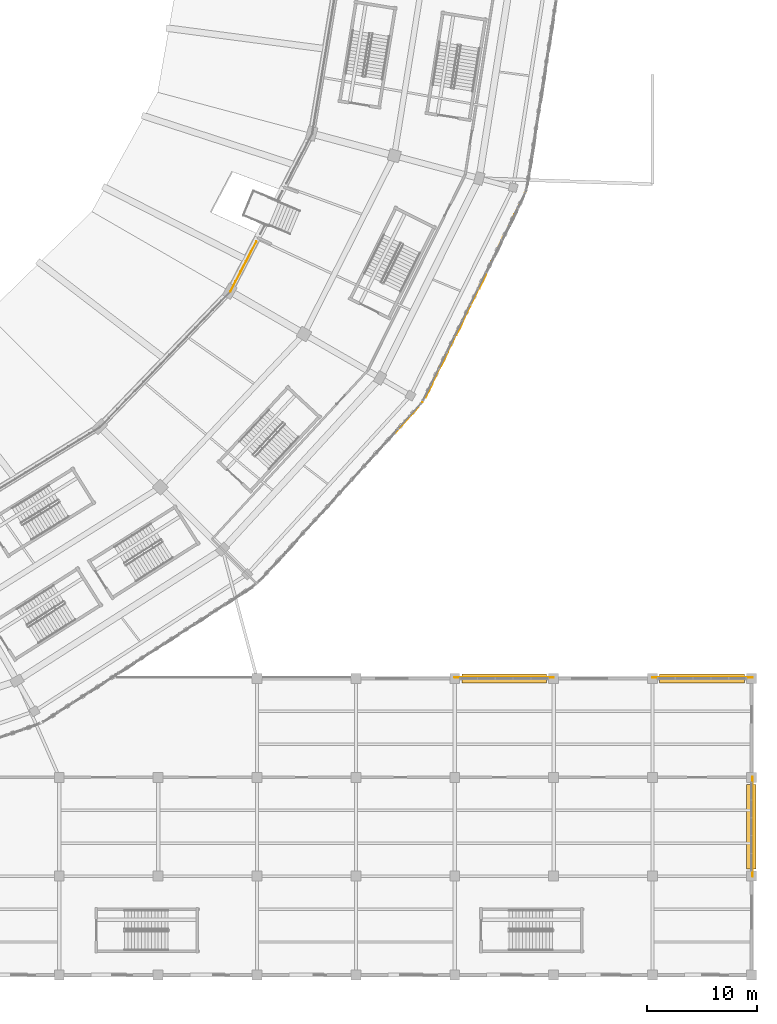
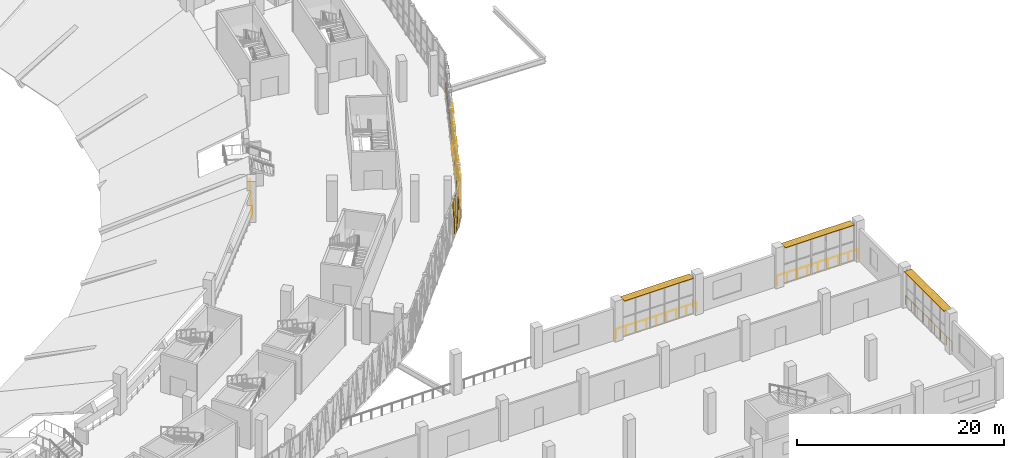
# One storey, part 151 of 183: 10 coverings, 5 railings, 3 shading devices.
"""IFC4 building model written with IfcOpenShell, lengths in metres."""

from ifc_helpers import new_model, si_unit, direction, frame, origin, origin_2d, place, context, subcontext, project, spatial, polyline, rectangle, circle, outline, extrude, material, layer, layer_set, type_object, element, save


model = new_model("IFC4")

# Units and contexts
model_context = context("Model", 3, precision=1e-05, world=origin(), true_north=direction((0.0, 1.0)))
body_context = subcontext(model_context, "Body", "Model", "MODEL_VIEW")
ifc_project = project(units=[si_unit("LENGTHUNIT", "METRE"), si_unit("AREAUNIT", "SQUARE_METRE"), si_unit("VOLUMEUNIT", "CUBIC_METRE"), si_unit("PLANEANGLEUNIT", "RADIAN"), si_unit("MASSUNIT", "GRAM", prefix="KILO")], contexts=[model_context])

# Site, building, storey
site_placement = place(None, origin())
site = spatial("IfcSite", under=ifc_project, at=site_placement, CompositionType="ELEMENT")
building_placement = place(site_placement, origin())
building = spatial("IfcBuilding", under=site, at=building_placement, Name="Zevraka Park Crest Stadium", CompositionType="ELEMENT")
storey_placement = place(building_placement, frame((0.0, 0.0, 5.39990234375)))
storey = spatial("IfcBuildingStorey", under=building, at=storey_placement, Name="L01", CompositionType="ELEMENT", Elevation=5.39990234375)

# Coverings
ifc_material_1 = material(Name="Architectural golden-bronze perforated aluminium", Category="aluminium")
ifc_layer_1 = layer(ifc_material_1, 0.034912109375)
ifc_layer_set_1 = layer_set([ifc_layer_1], Name="Architectural golden-bronze perforated aluminium")
covering_type = type_object("IfcCoveringType", Name="CLD01", PredefinedType="CLADDING", material=ifc_layer_set_1)
covering_1_placement = place(storey_placement, frame((192.6298828125, 50.488037109375, 4.5), z_axis=(0.738931869956, -0.673780145489, 8.4304834e-05), x_axis=(-0.673780147884, -0.738931872582, 0.0)))
element("IfcCovering", 1, at=covering_1_placement, inside=storey, type_object=covering_type, Name="Triangular Golden-Bronze Perforated Cladding L01-21-12", PredefinedType="CLADDING", context=body_context, shape_type="SweptSolid", body=[
    extrude(outline(polyline([(0.0, 0.0), (1.4914105374817646, 0.0), (0.7453762745280483, 4.27978517145887), (0.0, 0.0)])), origin(), (0.0, 0.0, -1.0), 0.034912109375),
])
covering_2_placement = place(storey_placement, frame((192.738037109375, 50.60595703125, -0.260009765625), z_axis=(0.739257935755, -0.673422381884, 0.0), x_axis=(0.673422381884, 0.739257935755, 0.0)))
element("IfcCovering", 2, at=covering_2_placement, inside=storey, type_object=covering_type, Name="Triangular Golden-Bronze Perforated Cladding L01-21-13", PredefinedType="CLADDING", context=body_context, shape_type="SweptSolid", body=[
    extrude(outline(polyline([(0.0, 0.0), (1.4907527237079923, 0.0), (0.7453763618539961, 4.60009765625), (0.0, 0.0)])), origin(), (0.0, 0.0, -1.0), 0.034912109375),
])
covering_3_placement = place(storey_placement, frame((194.3330078125, 52.575927734375, -0.260009765625), z_axis=(-0.897262884804, 0.441496663763, 0.000106956486), x_axis=(0.441496666288, 0.897262889936, 0.0)))
element("IfcCovering", 3, at=covering_3_placement, inside=storey, type_object=covering_type, Name="Triangular Golden-Bronze Perforated Cladding L01-22-1", PredefinedType="CLADDING", context=body_context, shape_type="SweptSolid", body=[
    extrude(outline(polyline([(0.0, 0.0), (1.4200631009776323, -6.776263578034403e-21), (0.7101375958715329, -4.600097682561845), (0.0, 0.0)])), origin(), (0.0, 0.0, -1.0), 0.034912109375),
])
covering_4_placement = place(storey_placement, frame((195.657958984375, 55.26904296875, 4.5), z_axis=(0.897396801117, -0.441224389291, 0.00014013863), x_axis=(-0.441224393624, -0.897396809929, 0.0)))
element("IfcCovering", 4, at=covering_4_placement, inside=storey, type_object=covering_type, Name="Triangular Golden-Bronze Perforated Cladding L01-22-2", PredefinedType="CLADDING", context=body_context, shape_type="SweptSolid", body=[
    extrude(outline(polyline([(0.0, 0.0), (1.4209393996793769, -1.3552527156068805e-20), (0.7105828947683128, 4.2797851982749995), (0.0, 0.0)])), origin(), (0.0, 0.0, -1.0), 0.034912109375),
])
covering_5_placement = place(storey_placement, frame((195.72900390625, 55.412109375, -0.260009765625), z_axis=(-0.89736335211, 0.441292433592, 4.8410033e-05), x_axis=(0.441292434109, 0.897363353162, 0.0)))
element("IfcCovering", 5, at=covering_5_placement, inside=storey, type_object=covering_type, Name="Triangular Golden-Bronze Perforated Cladding L01-22-3", PredefinedType="CLADDING", context=body_context, shape_type="SweptSolid", body=[
    extrude(outline(polyline([(0.0, 0.0), (1.420720312745091, 0.0), (0.7110137968936739, -4.600097661640237), (0.0, 0.0)])), origin(), (0.0, 0.0, -1.0), 0.034912109375),
])
covering_6_placement = place(storey_placement, frame((197.053955078125, 58.10498046875, 4.5), z_axis=(0.897229366489, -0.441564778295, 0.000102365016), x_axis=(-0.441564780609, -0.89722937119, 0.0)))
element("IfcCovering", 6, at=covering_6_placement, inside=storey, type_object=covering_type, Name="Triangular Golden-Bronze Perforated Cladding L01-22-4", PredefinedType="CLADDING", context=body_context, shape_type="SweptSolid", body=[
    extrude(outline(polyline([(0.0, 0.0), (1.4198440467462223, 6.776263578034403e-21), (0.7097064155700795, 4.2797851786730705), (0.0, 0.0)])), origin(), (0.0, 0.0, -1.0), 0.034912109375),
])
covering_7_placement = place(storey_placement, frame((197.125, 58.2490234375, -0.260009765625), z_axis=(-0.897363344103, 0.441292429655, 0.000142092747), x_axis=(0.441292434109, 0.897363353162, 0.0)))
element("IfcCovering", 7, at=covering_7_placement, inside=storey, type_object=covering_type, Name="Triangular Golden-Bronze Perforated Cladding L01-22-5", PredefinedType="CLADDING", context=body_context, shape_type="SweptSolid", body=[
    extrude(outline(polyline([(0.0, 0.0), (1.420720312745091, -1.3552527156068805e-20), (0.7101374654941018, -4.600097702688788), (0.0, 0.0)])), origin(), (0.0, 0.0, -1.0), 0.034912109375),
])
covering_8_placement = place(storey_placement, frame((198.449951171875, 60.94189453125, 4.5), z_axis=(0.897363351947, -0.441292433512, 5.2033191e-05), x_axis=(-0.441292434109, -0.897363353162, 0.0)))
element("IfcCovering", 8, at=covering_8_placement, inside=storey, type_object=covering_type, Name="Triangular Golden-Bronze Perforated Cladding L01-22-6", PredefinedType="CLADDING", context=body_context, shape_type="SweptSolid", body=[
    extrude(outline(polyline([(0.0, 0.0), (1.420720312745091, 3.3881317890172014e-21), (0.709706515851417, 4.279785162043659), (0.0, 0.0)])), origin(), (0.0, 0.0, -1.0), 0.034912109375),
])
covering_9_placement = place(storey_placement, frame((198.52099609375, 61.0859375, -0.260009765625), z_axis=(0.897262886806, -0.441496664748, 8.3524968e-05), x_axis=(0.441496666288, 0.897262889936, 0.0)))
element("IfcCovering", 9, at=covering_9_placement, inside=storey, type_object=covering_type, Name="Triangular Golden-Bronze Perforated Cladding L01-22-7", PredefinedType="CLADDING", context=body_context, shape_type="SweptSolid", body=[
    extrude(outline(polyline([(0.0, 0.0), (1.4200631009776323, 0.0), (0.7097064467833611, 4.600097672296107), (0.0, 0.0)])), origin(), (0.0, 0.0, -1.0), 0.034912109375),
])
covering_10_placement = place(storey_placement, frame((199.845947265625, 63.779052734375, 4.5), z_axis=(-0.897396808055, 0.441224392703, 6.4629608e-05), x_axis=(-0.441224393624, -0.897396809929, 0.0)))
element("IfcCovering", 10, at=covering_10_placement, inside=storey, type_object=covering_type, Name="Triangular Golden-Bronze Perforated Cladding L01-22-8", PredefinedType="CLADDING", context=body_context, shape_type="SweptSolid", body=[
    extrude(outline(polyline([(0.0, 0.0), (1.4209393996793769, 0.0), (0.7110137779652114, -4.279785165188302), (0.0, 0.0)])), origin(), (0.0, 0.0, -1.0), 0.034912109375),
])

# Railings
ifc_material_2 = material(Name="Galvanised and bronze-finished steel balustrade", Category="steel")
railing_type = type_object("IfcRailingType", Name="GR01", PredefinedType="GUARDRAIL", material=ifc_material_2)
railing_1_placement = place(storey_placement, frame((203.501953125, 71.366943359375, 0.0)))
element("IfcRailing", 11, at=railing_1_placement, inside=storey, type_object=railing_type, Name="Deck Edge Protection Guardrail GR01 L01-23", PredefinedType="GUARDRAIL", context=body_context, shape_type="SweptSolid", body=[
    extrude(circle(Radius=0.02392578125, at=origin_2d()), frame((0.0, 0.0, 1.076171875), z_axis=(-0.441507942404, -0.897257341455, 0.0), x_axis=(0.897257341455, -0.441507942404, 0.0)), (0.0, 0.0, 1.0), 21.4287109375),
    extrude(circle(Radius=0.02099609375, at=origin_2d()), origin(), (0.0, 0.0, 1.0), 1.052001953125),
    extrude(circle(Radius=0.02099609375, at=origin_2d()), frame((-0.525634765625, -1.068115234375, 0.0)), (0.0, 0.0, 1.0), 1.052001953125),
    extrude(circle(Radius=0.02099609375, at=origin_2d()), frame((-1.05126953125, -2.13623046875, 0.0)), (0.0, 0.0, 1.0), 1.052001953125),
    extrude(circle(Radius=0.02099609375, at=origin_2d()), frame((-1.576904296875, -3.20458984375, 0.0)), (0.0, 0.0, 1.0), 1.052001953125),
    extrude(circle(Radius=0.02099609375, at=origin_2d()), frame((-2.1025390625, -4.272705078125, 0.0)), (0.0, 0.0, 1.0), 1.052001953125),
    extrude(circle(Radius=0.02099609375, at=origin_2d()), frame((-2.6279296875, -5.3408203125, 0.0)), (0.0, 0.0, 1.0), 1.052001953125),
    extrude(circle(Radius=0.02099609375, at=origin_2d()), frame((-3.153564453125, -6.408935546875, 0.0)), (0.0, 0.0, 1.0), 1.052001953125),
    extrude(circle(Radius=0.02099609375, at=origin_2d()), frame((-3.67919921875, -7.477294921875, 0.0)), (0.0, 0.0, 1.0), 1.052001953125),
    extrude(circle(Radius=0.02099609375, at=origin_2d()), frame((-4.204833984375, -8.54541015625, 0.0)), (0.0, 0.0, 1.0), 1.052001953125),
    extrude(circle(Radius=0.02099609375, at=origin_2d()), frame((-4.73046875, -9.613525390625, 0.0)), (0.0, 0.0, 1.0), 1.052001953125),
    extrude(circle(Radius=0.02099609375, at=origin_2d()), frame((-5.256103515625, -10.681640625, 0.0)), (0.0, 0.0, 1.0), 1.052001953125),
    extrude(circle(Radius=0.02099609375, at=origin_2d()), frame((-5.78173828125, -11.749755859375, 0.0)), (0.0, 0.0, 1.0), 1.052001953125),
    extrude(circle(Radius=0.02099609375, at=origin_2d()), frame((-6.307373046875, -12.818115234375, 0.0)), (0.0, 0.0, 1.0), 1.052001953125),
    extrude(circle(Radius=0.02099609375, at=origin_2d()), frame((-6.8330078125, -13.88623046875, 0.0)), (0.0, 0.0, 1.0), 1.052001953125),
    extrude(circle(Radius=0.02099609375, at=origin_2d()), frame((-7.3583984375, -14.954345703125, 0.0)), (0.0, 0.0, 1.0), 1.052001953125),
    extrude(circle(Radius=0.02099609375, at=origin_2d()), frame((-7.884033203125, -16.0224609375, 0.0)), (0.0, 0.0, 1.0), 1.052001953125),
    extrude(circle(Radius=0.02099609375, at=origin_2d()), frame((-8.40966796875, -17.0908203125, 0.0)), (0.0, 0.0, 1.0), 1.052001953125),
    extrude(circle(Radius=0.02099609375, at=origin_2d()), frame((-8.935302734375, -18.158935546875, 0.0)), (0.0, 0.0, 1.0), 1.052001953125),
    extrude(circle(Radius=0.02099609375, at=origin_2d()), frame((-9.4609375, -19.22705078125, 0.0)), (0.0, 0.0, 1.0), 1.052001953125),
])
railing_2_placement = place(storey_placement, frame((196.990966796875, 27.10498046875, 0.0)))
element("IfcRailing", 12, at=railing_2_placement, inside=storey, type_object=railing_type, Name="Deck Edge Protection Guardrail GR01 L01-27", PredefinedType="GUARDRAIL", context=body_context, shape_type="SweptSolid", body=[
    extrude(circle(Radius=0.02392578125, at=origin_2d()), frame((0.0, 0.0, 1.076171875), z_axis=(1.0, 0.0, 0.0), x_axis=(0.0, 1.0, 0.0)), (0.0, 0.0, 1.0), 9.01806640625),
    extrude(circle(Radius=0.02099609375, at=origin_2d()), origin(), (0.0, 0.0, 1.0), 1.052001953125),
    extrude(circle(Radius=0.02099609375, at=origin_2d()), frame((1.127197265625, 0.0, 0.0)), (0.0, 0.0, 1.0), 1.052001953125),
    extrude(circle(Radius=0.02099609375, at=origin_2d()), frame((2.25439453125, 0.0, 0.0)), (0.0, 0.0, 1.0), 1.052001953125),
    extrude(circle(Radius=0.02099609375, at=origin_2d()), frame((3.3818359375, 0.0, 0.0)), (0.0, 0.0, 1.0), 1.052001953125),
    extrude(circle(Radius=0.02099609375, at=origin_2d()), frame((4.509033203125, 0.0, 0.0)), (0.0, 0.0, 1.0), 1.052001953125),
    extrude(circle(Radius=0.02099609375, at=origin_2d()), frame((5.63623046875, 0.0, 0.0)), (0.0, 0.0, 1.0), 1.052001953125),
    extrude(circle(Radius=0.02099609375, at=origin_2d()), frame((6.763671875, 0.0, 0.0)), (0.0, 0.0, 1.0), 1.052001953125),
    extrude(circle(Radius=0.02099609375, at=origin_2d()), frame((7.890869140625, 0.0, 0.0)), (0.0, 0.0, 1.0), 1.052001953125),
    extrude(circle(Radius=0.02099609375, at=origin_2d()), frame((9.01806640625, 0.0, 0.0)), (0.0, 0.0, 1.0), 1.052001953125),
])
railing_3_placement = place(storey_placement, frame((214.990966796875, 27.10498046875, 0.0)))
element("IfcRailing", 13, at=railing_3_placement, inside=storey, type_object=railing_type, Name="Deck Edge Protection Guardrail GR01 L01-28", PredefinedType="GUARDRAIL", context=body_context, shape_type="SweptSolid", body=[
    extrude(circle(Radius=0.02392578125, at=origin_2d()), frame((0.0, 0.0, 1.076171875), z_axis=(1.0, 0.0, 0.0), x_axis=(0.0, 1.0, 0.0)), (0.0, 0.0, 1.0), 9.114013671875),
    extrude(circle(Radius=0.02099609375, at=origin_2d()), origin(), (0.0, 0.0, 1.0), 1.052001953125),
    extrude(circle(Radius=0.02099609375, at=origin_2d()), frame((1.13916015625, 0.0, 0.0)), (0.0, 0.0, 1.0), 1.052001953125),
    extrude(circle(Radius=0.02099609375, at=origin_2d()), frame((2.278564453125, 0.0, 0.0)), (0.0, 0.0, 1.0), 1.052001953125),
    extrude(circle(Radius=0.02099609375, at=origin_2d()), frame((3.417724609375, 0.0, 0.0)), (0.0, 0.0, 1.0), 1.052001953125),
    extrude(circle(Radius=0.02099609375, at=origin_2d()), frame((4.55712890625, 0.0, 0.0)), (0.0, 0.0, 1.0), 1.052001953125),
    extrude(circle(Radius=0.02099609375, at=origin_2d()), frame((5.6962890625, 0.0, 0.0)), (0.0, 0.0, 1.0), 1.052001953125),
    extrude(circle(Radius=0.02099609375, at=origin_2d()), frame((6.83544921875, 0.0, 0.0)), (0.0, 0.0, 1.0), 1.052001953125),
    extrude(circle(Radius=0.02099609375, at=origin_2d()), frame((7.974853515625, 0.0, 0.0)), (0.0, 0.0, 1.0), 1.052001953125),
    extrude(circle(Radius=0.02099609375, at=origin_2d()), frame((9.114013671875, 0.0, 0.0)), (0.0, 0.0, 1.0), 1.052001953125),
])
railing_4_placement = place(storey_placement, frame((224.10498046875, 18.009033203125, 0.0)))
element("IfcRailing", 14, at=railing_4_placement, inside=storey, type_object=railing_type, Name="Deck Edge Protection Guardrail GR01 L01-29", PredefinedType="GUARDRAIL", context=body_context, shape_type="SweptSolid", body=[
    extrude(circle(Radius=0.02392578125, at=origin_2d()), frame((0.0, 0.0, 1.076171875), z_axis=(0.0, -1.0, 0.0), x_axis=(1.0, 0.0, 0.0)), (0.0, 0.0, 1.0), 9.01806640625),
    extrude(circle(Radius=0.02099609375, at=origin_2d()), origin(), (0.0, 0.0, 1.0), 1.052001953125),
    extrude(circle(Radius=0.02099609375, at=origin_2d()), frame((0.0, -1.127197265625, 0.0)), (0.0, 0.0, 1.0), 1.052001953125),
    extrude(circle(Radius=0.02099609375, at=origin_2d()), frame((0.0, -2.25439453125, 0.0)), (0.0, 0.0, 1.0), 1.052001953125),
    extrude(circle(Radius=0.02099609375, at=origin_2d()), frame((0.0, -3.3818359375, 0.0)), (0.0, 0.0, 1.0), 1.052001953125),
    extrude(circle(Radius=0.02099609375, at=origin_2d()), frame((0.0, -4.509033203125, 0.0)), (0.0, 0.0, 1.0), 1.052001953125),
    extrude(circle(Radius=0.02099609375, at=origin_2d()), frame((0.0, -5.63623046875, 0.0)), (0.0, 0.0, 1.0), 1.052001953125),
    extrude(circle(Radius=0.02099609375, at=origin_2d()), frame((0.0, -6.763671875, 0.0)), (0.0, 0.0, 1.0), 1.052001953125),
    extrude(circle(Radius=0.02099609375, at=origin_2d()), frame((0.0, -7.890869140625, 0.0)), (0.0, 0.0, 1.0), 1.052001953125),
    extrude(circle(Radius=0.02099609375, at=origin_2d()), frame((0.0, -9.01806640625, 0.0)), (0.0, 0.0, 1.0), 1.052001953125),
])
railing_5_placement = place(storey_placement, frame((176.570068359375, 62.201904296875, 0.0)))
element("IfcRailing", 15, at=railing_5_placement, inside=storey, type_object=railing_type, Name="Deck Edge Protection Guardrail GR01 L01-71", PredefinedType="GUARDRAIL", context=body_context, shape_type="SweptSolid", body=[
    extrude(circle(Radius=0.02392578125, at=origin_2d()), frame((0.0, 0.0, 1.076171875), z_axis=(0.460815991799, 0.887495702357, 0.0), x_axis=(-0.887495702357, 0.460815991799, 0.0)), (0.0, 0.0, 1.0), 5.1279296875),
    extrude(circle(Radius=0.02099609375, at=origin_2d()), origin(), (0.0, 0.0, 1.0), 1.052001953125),
    extrude(circle(Radius=0.02099609375, at=origin_2d()), frame((0.47265625, 0.91015625, 0.0)), (0.0, 0.0, 1.0), 1.052001953125),
    extrude(circle(Radius=0.02099609375, at=origin_2d()), frame((0.9453125, 1.8203125, 0.0)), (0.0, 0.0, 1.0), 1.052001953125),
    extrude(circle(Radius=0.02099609375, at=origin_2d()), frame((1.417724609375, 2.730712890625, 0.0)), (0.0, 0.0, 1.0), 1.052001953125),
    extrude(circle(Radius=0.02099609375, at=origin_2d()), frame((1.890380859375, 3.640869140625, 0.0)), (0.0, 0.0, 1.0), 1.052001953125),
    extrude(circle(Radius=0.02099609375, at=origin_2d()), frame((2.363037109375, 4.551025390625, 0.0)), (0.0, 0.0, 1.0), 1.052001953125),
])

# Shading devices
ifc_material_3 = material(Name="Architectural golden-bronze anodised bronze", Category="aluminium")
ifc_layer_2 = layer(ifc_material_3, 0.06005859375)
ifc_layer_set_2 = layer_set([ifc_layer_2], Name="Architectural golden-bronze anodised bronze")
shading_device_type = type_object("IfcShadingDeviceType", Name="SHD01", PredefinedType="USERDEFINED", material=ifc_layer_set_2)
for number, where, z_axis, x_axis, name in (
    (16, (224.0, 13.5, 4.440185546875), (0.0, 0.0, 1.0), (0.0, -1.0, 0.0), "Wing Bronze Solar Screen SHD01 L01-SE-E-2"),
    (17, (201.5, 27.0, 4.440185546875), (0.0, 0.0, 1.0), (1.0, 0.0, 0.0), "Wing Bronze Solar Screen SHD01 L01-SE-N-2"),
    (18, (219.5, 27.0, 4.440185546875), (0.0, 0.0, 1.0), (1.0, 0.0, 0.0), "Wing Bronze Solar Screen SHD01 L01-SE-N-4"),
):
    element("IfcShadingDevice", number, at=place(storey_placement, frame(where, z_axis=z_axis, x_axis=x_axis)), inside=storey, type_object=shading_device_type, Name=name, ObjectType="SOLAR SCREEN", PredefinedType="USERDEFINED", context=body_context, shape_type="SweptSolid", body=[
        extrude(rectangle(XDim=7.719970703125, YDim=0.85009765625, at=origin_2d()), origin(), (0.0, 0.0, 1.0), 0.06005859375),
    ])

save(model, "model.ifc")
